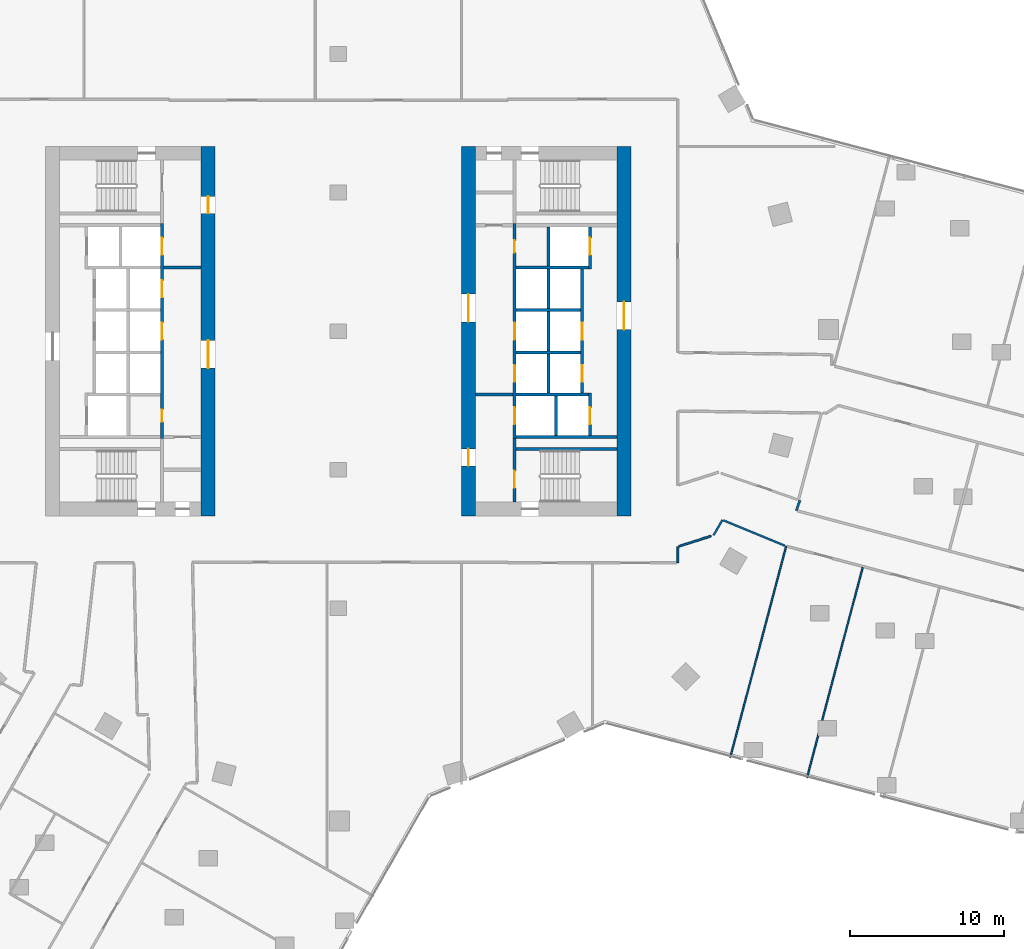
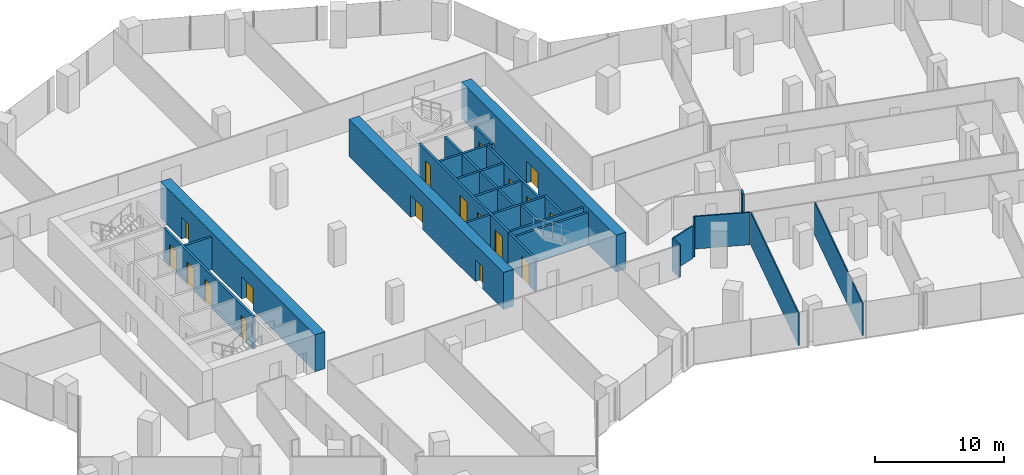
# One storey, part 28 of 34: 29 walls, 18 doors, 18 openings.
"""IFC4 building model written with IfcOpenShell, lengths in metres."""

import ifcopenshell
import ifcopenshell.guid

model = None  # the IFC model being written
_history = None  # IfcOwnerHistory: only IFC2X3 demands one
_inside = {}  # id of a spatial element -> (the spatial element, [elements in it])
_under = {}  # id of a project, library or spatial element -> (it, [spatial elements below it])
_declared = {}  # id of a project -> (the project, [libraries it declares])
_typed = {}  # id of a type object -> (the type object, [elements of that type])
_made_of = {}  # id of a material, layer set ... -> (it, [elements and type objects made of it])


def new_model(schema):
    """Start an empty IFC model of exactly this schema.

    Asked for "IFC4X3", IfcOpenShell would pick the latest addendum, in which some entities
    have other attributes; the version numbers below select the first issue.
    IFC2X3 requires an IfcOwnerHistory on every rooted entity: one is made here for all.
    """
    global model, _history
    if schema == "IFC4X3":
        model = ifcopenshell.file(schema_version=(4, 3, 0, 0))
    else:
        model = ifcopenshell.file(schema=schema)
    _inside.clear()
    _under.clear()
    _declared.clear()
    _typed.clear()
    _made_of.clear()
    _history = None
    if model.schema == "IFC2X3":
        org = make("IfcOrganization", Name="unknown")
        user = make(
            "IfcPersonAndOrganization",
            ThePerson=make("IfcPerson", FamilyName="unknown"),
            TheOrganization=org,
        )
        app = make(
            "IfcApplication",
            ApplicationDeveloper=org,
            Version="unknown",
            ApplicationFullName="unknown",
            ApplicationIdentifier="unknown",
        )
        _history = make(
            "IfcOwnerHistory",
            OwningUser=user,
            OwningApplication=app,
            ChangeAction="ADDED",
            CreationDate=0,
        )
    return model


def make(cls, **values):
    """One entity of the class cls with the attributes given. An attribute that is None is left unset."""
    return model.create_entity(
        cls, **{name: value for name, value in values.items() if value is not None}
    )


def rooted(cls, **values):
    """An entity with a GlobalId (a new one), such as an element, a storey or a relation."""
    return make(cls, GlobalId=ifcopenshell.guid.new(), OwnerHistory=_history, **values)


def si_unit(unit_type, name, prefix=None):
    """IfcSIUnit, for example si_unit("LENGTHUNIT", "METRE", prefix="MILLI")."""
    return make("IfcSIUnit", UnitType=unit_type, Prefix=prefix, Name=name)


def assignment(units):
    """IfcUnitAssignment: the units of a project."""
    return None if units is None else make("IfcUnitAssignment", Units=units)


def point(xyz):
    """IfcCartesianPoint."""
    return None if xyz is None else make("IfcCartesianPoint", Coordinates=xyz)


def direction(xyz):
    """IfcDirection."""
    return None if xyz is None else make("IfcDirection", DirectionRatios=xyz)


def frame(location, z_axis=None, x_axis=None):
    """IfcAxis2Placement3D, a coordinate frame: its origin and axes. An axis left out is left unset."""
    return make(
        "IfcAxis2Placement3D",
        Location=point(location),
        Axis=direction(z_axis),
        RefDirection=direction(x_axis),
    )


def frame_2d(location, x_axis=None):
    """IfcAxis2Placement2D, a coordinate frame in the plane: its origin and x axis."""
    return make(
        "IfcAxis2Placement2D", Location=point(location), RefDirection=direction(x_axis)
    )


def origin():
    """The frame at (0, 0, 0) with its axes left unset."""
    return frame((0.0, 0.0, 0.0))


def place(relative_to, where):
    """IfcLocalPlacement: puts the frame where relative to a parent placement (None: the world)."""
    return make(
        "IfcLocalPlacement", PlacementRelTo=relative_to, RelativePlacement=where
    )


def context(
    kind, dimensions, precision=None, world=None, true_north=None, identifier=None
):
    """IfcGeometricRepresentationContext, for example the 3D "Model" context."""
    return make(
        "IfcGeometricRepresentationContext",
        ContextIdentifier=identifier,
        ContextType=kind,
        CoordinateSpaceDimension=dimensions,
        Precision=precision,
        WorldCoordinateSystem=world,
        TrueNorth=true_north,
    )


def subcontext(parent, identifier, kind, view, scale=None):
    """IfcGeometricRepresentationSubContext, for example "Body" below "Model"."""
    return make(
        "IfcGeometricRepresentationSubContext",
        ContextIdentifier=identifier,
        ContextType=kind,
        ParentContext=parent,
        TargetScale=scale,
        TargetView=view,
    )


def project(units=None, contexts=None):
    """IfcProject with its units and contexts."""
    return rooted(
        "IfcProject",
        Name="project",
        RepresentationContexts=contexts,
        UnitsInContext=assignment(units),
    )


def spatial(cls, under=None, at=None, **own):
    """A site, building, storey or space (cls), placed at a placement, below another one or the project."""
    s = rooted(cls, ObjectPlacement=at, **own)
    if under is not None:
        _under.setdefault(under.id(), (under, []))[1].append(s)
    return s


def profile(cls, at=None, kind="AREA", **sizes):
    """A parametric profile (cls). Its sizes go by their IFC names, for example OverallWidth=200.0."""
    return make(cls, ProfileType=kind, Position=at, **sizes)


def rectangle(**sizes):
    """IfcRectangleProfileDef."""
    return profile("IfcRectangleProfileDef", **sizes)


def extrude(swept, where, along, depth):
    """IfcExtrudedAreaSolid: the profile swept, set in the frame where, extruded along a direction by depth."""
    return make(
        "IfcExtrudedAreaSolid",
        SweptArea=swept,
        Position=where,
        ExtrudedDirection=direction(along),
        Depth=depth,
    )


def shape(context_of_items, identifier, shape_type, items):
    """IfcShapeRepresentation: the items that make up one representation, for example the "Body"."""
    return make(
        "IfcShapeRepresentation",
        ContextOfItems=context_of_items,
        RepresentationIdentifier=identifier,
        RepresentationType=shape_type,
        Items=items,
    )


def material(Name=None, Category=None):
    """IfcMaterial."""
    return make("IfcMaterial", Name=Name, Category=Category)


def layer(
    of_material, thickness, ventilated=None, Name=None, Category=None, Priority=None
):
    """IfcMaterialLayer: one layer of a wall or slab, of a material (None: an air gap)."""
    return make(
        "IfcMaterialLayer",
        Material=of_material,
        LayerThickness=thickness,
        IsVentilated=ventilated,
        Name=Name,
        Category=Category,
        Priority=Priority,
    )


def layer_set(layers, Name=None):
    """IfcMaterialLayerSet."""
    return make("IfcMaterialLayerSet", MaterialLayers=layers, LayerSetName=Name)


def made_of(thing, what):
    """Note that an element or type object is made of a material, layer set ...; save() writes the relation."""
    if what is not None:
        _made_of.setdefault(what.id(), (what, []))[1].append(thing)
    return thing


def type_object(cls, material=None, **own):
    """A type object (cls), such as IfcWallType, which elements share."""
    return made_of(rooted(cls, **own), material)


def element(
    cls,
    number,
    at=None,
    inside=None,
    cuts=None,
    type_object=None,
    material=None,
    context=None,
    identifier="Body",
    shape_type=None,
    held_by="IfcProductDefinitionShape",
    body=None,
    shapes=None,
    **own,
):
    """One element of the class cls, such as IfcWall. Its Tag is "e" and its number.

    at: its placement. inside: the storey or other place that contains it. cuts: it is an
    opening in that element (IfcRelVoidsElement). A single representation is given by context,
    identifier, shape_type and body (its items); several are given by shapes. held_by: the class
    of the entity that holds the representations. save() writes the other relations.
    """
    e = rooted(cls, Tag="e%d" % number, ObjectPlacement=at, **own)
    if body is not None:
        shapes = [shape(context, identifier, shape_type, body)]
    if shapes is not None:
        e.Representation = make(held_by, Representations=shapes)
    if inside is not None:
        _inside.setdefault(inside.id(), (inside, []))[1].append(e)
    if cuts is not None:
        rooted(
            "IfcRelVoidsElement", RelatingBuildingElement=cuts, RelatedOpeningElement=e
        )
    if type_object is not None:
        _typed.setdefault(type_object.id(), (type_object, []))[1].append(e)
    return made_of(e, material)


def fill(opening, filler):
    """IfcRelFillsElement: the door or window that sits in an opening."""
    return rooted(
        "IfcRelFillsElement",
        RelatingOpeningElement=opening,
        RelatedBuildingElement=filler,
    )


def aggregate(whole, parts):
    """IfcRelAggregates: a whole, such as a stair, and the parts it consists of."""
    return rooted("IfcRelAggregates", RelatingObject=whole, RelatedObjects=parts)


def save(model, path):
    """Write the relations noted so far, then the file.

    IfcRelAggregates (storeys below a building ...), IfcRelContainedInSpatialStructure (elements
    in a storey), IfcRelDefinesByType, IfcRelAssociatesMaterial and IfcRelDeclares: one each for
    every whole, place, type object, material and project.
    """
    for whole, parts in _under.values():
        aggregate(whole, parts)
    for where, things in _inside.values():
        rooted(
            "IfcRelContainedInSpatialStructure",
            RelatedElements=things,
            RelatingStructure=where,
        )
    for kind, things in _typed.values():
        rooted("IfcRelDefinesByType", RelatedObjects=things, RelatingType=kind)
    for what, things in _made_of.values():
        rooted("IfcRelAssociatesMaterial", RelatedObjects=things, RelatingMaterial=what)
    for by, libraries in _declared.values():
        rooted("IfcRelDeclares", RelatingContext=by, RelatedDefinitions=libraries)
    model.write(path)


model = new_model("IFC4")

# Units and contexts
model_context = context("Model", 3, precision=1e-05, world=origin(), true_north=direction((0.0, 1.0)))
body_context = subcontext(model_context, "Body", "Model", "MODEL_VIEW")
ifc_project = project(units=[si_unit("LENGTHUNIT", "METRE"), si_unit("AREAUNIT", "SQUARE_METRE"), si_unit("VOLUMEUNIT", "CUBIC_METRE"), si_unit("PLANEANGLEUNIT", "RADIAN"), si_unit("MASSUNIT", "GRAM", prefix="KILO")], contexts=[model_context])

# Site, building, storey
site_placement = place(None, origin())
site = spatial("IfcSite", under=ifc_project, at=site_placement, CompositionType="ELEMENT")
building_placement = place(site_placement, origin())
building = spatial("IfcBuilding", under=site, at=building_placement, Name="Orlundy Tower", CompositionType="ELEMENT")
storey_placement = place(building_placement, frame((0.0, 0.0, 109.199951171875)))
storey = spatial("IfcBuildingStorey", under=building, at=storey_placement, Name="L27", CompositionType="ELEMENT", Elevation=109.199951171875)

# Wall, openings, doors
ifc_material_1 = material(Name="Concrete C80/95", Category="concrete")
ifc_layer_1 = layer(ifc_material_1, 0.89990234375)
ifc_layer_set_1 = layer_set([ifc_layer_1], Name="CORE WALL 900 C80/95")
wall_type_1 = type_object("IfcWallType", Name="CORE WALL 900 C80/95", PredefinedType="SHEAR", material=ifc_layer_set_1)
wall_1_placement = place(storey_placement, frame((-8.449951171875, -12.0, 0.0), z_axis=(0.0, 0.0, 1.0), x_axis=(0.0, 1.0, 0.0)))
wall_1 = element("IfcWall", 1, at=wall_1_placement, inside=storey, type_object=wall_type_1, Name="Core wall W-E L27", PredefinedType="SHEAR", context=body_context, shape_type="SweptSolid", body=[
    extrude(rectangle(XDim=24.0, YDim=0.89990234375, at=frame_2d((12.0, 0.0))), origin(), (0.0, 0.0, 1.0), 3.5),
])
opening_1_placement = place(wall_1_placement, frame((9.60009765625, 0.0, 0.0)))
opening_1 = element("IfcOpeningElement", 2, at=opening_1_placement, cuts=wall_1, Name="Opening 21009", PredefinedType="OPENING", context=body_context, shape_type="SweptSolid", body=[
    extrude(rectangle(XDim=1.800048828125, YDim=2.10009765625, at=frame_2d((0.89990234375, 1.050048828125))), frame((0.0, 0.4599609375, 0.0), z_axis=(0.0, -1.0, 0.0), x_axis=(1.0, 0.0, 0.0)), (0.0, 0.0, 1.0), 0.919921875),
])
opening_2_placement = place(wall_1_placement, frame((19.64990234375, 0.0, 0.0)))
opening_2 = element("IfcOpeningElement", 3, at=opening_2_placement, cuts=wall_1, Name="Opening 21011", PredefinedType="OPENING", context=body_context, shape_type="SweptSolid", body=[
    extrude(rectangle(XDim=1.10009765625, YDim=2.10009765625, at=frame_2d((0.550048828125, 1.050048828125))), frame((0.0, 0.4599609375, 0.0), z_axis=(0.0, -1.0, 0.0), x_axis=(1.0, 0.0, 0.0)), (0.0, 0.0, 1.0), 0.919921875),
])
ifc_material_2 = material(Name="Steel door set", Category="steel")
door_type_1 = type_object("IfcDoorType", Name="Fire-fighting Lobby Door 1100x2100", OperationType="SINGLE_SWING_LEFT", PredefinedType="DOOR", material=ifc_material_2)
door_1_placement = place(opening_2_placement, origin())
door_1 = element("IfcDoor", 4, at=door_1_placement, inside=storey, type_object=door_type_1, Name="Fire-fighting lobby door 21011", OperationType="SINGLE_SWING_RIGHT", OverallHeight=2.10009765625, OverallWidth=1.10009765625, PredefinedType="DOOR", context=body_context, shape_type="SweptSolid", body=[
    extrude(rectangle(XDim=1.10009765625, YDim=2.10009765625, at=frame_2d((0.550048828125, 1.050048828125))), frame((0.0, 0.02490234375, 0.0), z_axis=(0.0, -1.0, 0.0), x_axis=(1.0, 0.0, 0.0)), (0.0, 0.0, 1.0), 0.050048828125),
])
fill(opening_2, door_1)
ifc_material_3 = material(Name="Timber door set", Category="wood")
door_type_2 = type_object("IfcDoorType", Name="Lobby Door 1800x2100", OperationType="DOUBLE_DOOR_DOUBLE_SWING", PredefinedType="DOOR", material=ifc_material_3)
door_2_placement = place(opening_1_placement, origin())
door_2 = element("IfcDoor", 5, at=door_2_placement, inside=storey, type_object=door_type_2, Name="Lift lobby door 21009", OperationType="SINGLE_SWING_LEFT", OverallHeight=2.10009765625, OverallWidth=1.800048828125, PredefinedType="DOOR", context=body_context, shape_type="SweptSolid", body=[
    extrude(rectangle(XDim=1.800048828125, YDim=2.10009765625, at=frame_2d((0.89990234375, 1.050048828125))), frame((0.0, 0.02490234375, 0.0), z_axis=(0.0, -1.0, 0.0), x_axis=(1.0, 0.0, 0.0)), (0.0, 0.0, 1.0), 0.050048828125),
])
fill(opening_1, door_2)

wall_2_placement = place(storey_placement, frame((8.449951171875, -12.0, 0.0), z_axis=(0.0, 0.0, 1.0), x_axis=(0.0, 1.0, 0.0)))
wall_2 = element("IfcWall", 6, at=wall_2_placement, inside=storey, type_object=wall_type_1, Name="Core wall E-W L27", PredefinedType="SHEAR", context=body_context, shape_type="SweptSolid", body=[
    extrude(rectangle(XDim=24.0, YDim=0.89990234375, at=frame_2d((12.0, 0.0))), origin(), (0.0, 0.0, 1.0), 3.5),
])
opening_3_placement = place(wall_2_placement, frame((12.60009765625, 0.0, 0.0)))
opening_3 = element("IfcOpeningElement", 7, at=opening_3_placement, cuts=wall_2, Name="Opening 21058", PredefinedType="OPENING", context=body_context, shape_type="SweptSolid", body=[
    extrude(rectangle(XDim=1.800048828125, YDim=2.10009765625, at=frame_2d((0.89990234375, 1.050048828125))), frame((0.0, 0.4599609375, 0.0), z_axis=(0.0, -1.0, 0.0), x_axis=(1.0, 0.0, 0.0)), (0.0, 0.0, 1.0), 0.919921875),
])
opening_4_placement = place(wall_2_placement, frame((3.25, 0.0, 0.0)))
opening_4 = element("IfcOpeningElement", 8, at=opening_4_placement, cuts=wall_2, Name="Opening 21060", PredefinedType="OPENING", context=body_context, shape_type="SweptSolid", body=[
    extrude(rectangle(XDim=1.10009765625, YDim=2.10009765625, at=frame_2d((0.550048828125, 1.050048828125))), frame((0.0, 0.4599609375, 0.0), z_axis=(0.0, -1.0, 0.0), x_axis=(1.0, 0.0, 0.0)), (0.0, 0.0, 1.0), 0.919921875),
])
door_3_placement = place(opening_4_placement, origin())
door_3 = element("IfcDoor", 9, at=door_3_placement, inside=storey, type_object=door_type_1, Name="Fire-fighting lobby door 21060", OperationType="SINGLE_SWING_LEFT", OverallHeight=2.10009765625, OverallWidth=1.10009765625, PredefinedType="DOOR", context=body_context, shape_type="SweptSolid", body=[
    extrude(rectangle(XDim=1.10009765625, YDim=2.10009765625, at=frame_2d((0.550048828125, 1.050048828125))), frame((0.0, 0.02490234375, 0.0), z_axis=(0.0, -1.0, 0.0), x_axis=(1.0, 0.0, 0.0)), (0.0, 0.0, 1.0), 0.050048828125),
])
fill(opening_4, door_3)
door_4_placement = place(opening_3_placement, origin())
door_4 = element("IfcDoor", 10, at=door_4_placement, inside=storey, type_object=door_type_2, Name="Lift lobby door 21058", OperationType="SINGLE_SWING_RIGHT", OverallHeight=2.10009765625, OverallWidth=1.800048828125, PredefinedType="DOOR", context=body_context, shape_type="SweptSolid", body=[
    extrude(rectangle(XDim=1.800048828125, YDim=2.10009765625, at=frame_2d((0.89990234375, 1.050048828125))), frame((0.0, 0.02490234375, 0.0), z_axis=(0.0, -1.0, 0.0), x_axis=(1.0, 0.0, 0.0)), (0.0, 0.0, 1.0), 0.050048828125),
])
fill(opening_3, door_4)

# Wall, opening, door
wall_3_placement = place(storey_placement, frame((18.550048828125, -12.0, 0.0), z_axis=(0.0, 0.0, 1.0), x_axis=(0.0, 1.0, 0.0)))
wall_3 = element("IfcWall", 11, at=wall_3_placement, inside=storey, type_object=wall_type_1, Name="Core wall E-E L27", PredefinedType="SHEAR", context=body_context, shape_type="SweptSolid", body=[
    extrude(rectangle(XDim=24.0, YDim=0.89990234375, at=frame_2d((12.0, 0.0))), origin(), (0.0, 0.0, 1.0), 3.5),
])
opening_5_placement = place(wall_3_placement, frame((12.10009765625, 0.0, 0.0)))
opening_5 = element("IfcOpeningElement", 12, at=opening_5_placement, cuts=wall_3, Name="Opening 21059", PredefinedType="OPENING", context=body_context, shape_type="SweptSolid", body=[
    extrude(rectangle(XDim=1.800048828125, YDim=2.10009765625, at=frame_2d((0.89990234375, 1.050048828125))), frame((0.0, 0.4599609375, 0.0), z_axis=(0.0, -1.0, 0.0), x_axis=(1.0, 0.0, 0.0)), (0.0, 0.0, 1.0), 0.919921875),
])
door_5_placement = place(opening_5_placement, origin())
door_5 = element("IfcDoor", 13, at=door_5_placement, inside=storey, type_object=door_type_2, Name="Lift lobby door 21059", OperationType="SINGLE_SWING_RIGHT", OverallHeight=2.10009765625, OverallWidth=1.800048828125, PredefinedType="DOOR", context=body_context, shape_type="SweptSolid", body=[
    extrude(rectangle(XDim=1.800048828125, YDim=2.10009765625, at=frame_2d((0.89990234375, 1.050048828125))), frame((0.0, 0.02490234375, 0.0), z_axis=(0.0, -1.0, 0.0), x_axis=(1.0, 0.0, 0.0)), (0.0, 0.0, 1.0), 0.050048828125),
])
fill(opening_5, door_5)

# Walls
ifc_material_4 = material(Name="Gypsum board partition")
ifc_layer_2 = layer(ifc_material_4, 0.10009765625)
ifc_layer_set_2 = layer_set([ifc_layer_2], Name="Floor partition 100")
wall_type_2 = type_object("IfcWallType", Name="Floor partition 100", PredefinedType="PARTITIONING", material=ifc_layer_set_2)
wall_4_placement = place(storey_placement, frame((30.43408203125, -29.008056640625, 0.0), z_axis=(0.0, 0.0, 1.0), x_axis=(0.256051093289, 0.96666324934, 0.0)))
element("IfcWall", 14, at=wall_4_placement, inside=storey, type_object=wall_type_2, Name="wall-int-L27-065", PredefinedType="PARTITIONING", context=body_context, shape_type="SweptSolid", body=[
    extrude(rectangle(XDim=14.13720703125, YDim=0.10009765625, at=frame_2d((7.068603515625, 0.0))), origin(), (0.0, 0.0, 1.0), 3.080078125),
])
wall_5_placement = place(storey_placement, frame((25.452880859375, -27.68896484375, 0.0), z_axis=(0.0, 0.0, 1.0), x_axis=(0.255983290364, 0.966681206528, 0.0)))
element("IfcWall", 15, at=wall_5_placement, inside=storey, type_object=wall_type_2, Name="wall-int-L27-066", PredefinedType="PARTITIONING", context=body_context, shape_type="SweptSolid", body=[
    extrude(rectangle(XDim=14.2001953125, YDim=0.10009765625, at=frame_2d((7.10009765625, 0.0))), origin(), (0.0, 0.0, 1.0), 3.080078125),
])
ifc_material_5 = material(Name="Gypsum board partition, double layer")
ifc_layer_3 = layer(ifc_material_5, 0.125)
ifc_layer_set_3 = layer_set([ifc_layer_3], Name="Floor partition 125")
wall_type_3 = type_object("IfcWallType", Name="Floor partition 125", PredefinedType="PARTITIONING", material=ifc_layer_set_3)
wall_6_placement = place(storey_placement, frame((25.006103515625, -12.285888671875, 0.0), z_axis=(0.0, 0.0, 1.0), x_axis=(0.924527003777, -0.38111654292, 0.0)))
element("IfcWall", 16, at=wall_6_placement, inside=storey, type_object=wall_type_3, Name="wall-int-L27-005", PredefinedType="PARTITIONING", context=body_context, shape_type="SweptSolid", body=[
    extrude(rectangle(XDim=4.31884765625, YDim=0.125, at=frame_2d((2.159423828125, 0.0))), origin(), (0.0, 0.0, 1.0), 3.080078125),
])
wall_7_placement = place(storey_placement, frame((22.133056640625, -13.971923828125, 0.0), z_axis=(0.0, 0.0, 1.0), x_axis=(0.952283953223, 0.30521348665, 0.0)))
element("IfcWall", 17, at=wall_7_placement, inside=storey, type_object=wall_type_3, Name="wall-int-L27-043", PredefinedType="PARTITIONING", context=body_context, shape_type="SweptSolid", body=[
    extrude(rectangle(XDim=2.185302734375, YDim=0.125, at=frame_2d((1.0927734375, 0.0))), origin(), (0.0, 0.0, 1.0), 3.080078125),
])
wall_8_placement = place(storey_placement, frame((24.368896484375, -13.2548828125, 0.0), z_axis=(0.0, 0.0, 1.0), x_axis=(0.503804993987, 0.863817415913, 0.0)))
element("IfcWall", 18, at=wall_8_placement, inside=storey, type_object=wall_type_3, Name="wall-int-L27-046", PredefinedType="PARTITIONING", context=body_context, shape_type="SweptSolid", body=[
    extrude(rectangle(XDim=1.1494140625, YDim=0.125, at=frame_2d((0.57470703125, 0.0))), origin(), (0.0, 0.0, 1.0), 3.080078125),
])
wall_9_placement = place(storey_placement, frame((22.051025390625, -15.050048828125, 0.0), z_axis=(0.0, 0.0, 1.0), x_axis=(0.0, 1.0, 0.0)))
element("IfcWall", 19, at=wall_9_placement, inside=storey, type_object=wall_type_3, Name="wall-int-L27-073", PredefinedType="PARTITIONING", context=body_context, shape_type="SweptSolid", body=[
    extrude(rectangle(XDim=1.052001953125, YDim=0.125, at=frame_2d((0.52587890625, 0.0))), origin(), (0.0, 0.0, 1.0), 3.080078125),
])
ifc_material_6 = material(Name="Blockwork shaft wall", Category="masonry")
ifc_layer_4 = layer(ifc_material_6, 0.14990234375)
ifc_layer_set_4 = layer_set([ifc_layer_4], Name="Floor shaft wall 150")
wall_type_4 = type_object("IfcWallType", Name="Floor shaft wall 150", PredefinedType="PARTITIONING", material=ifc_layer_set_4)
wall_10_placement = place(storey_placement, frame((29.74609375, -11.653076171875, 0.0), z_axis=(0.0, 0.0, 1.0), x_axis=(0.326055233701, 0.945350720408, 0.0)))
element("IfcWall", 20, at=wall_10_placement, inside=storey, type_object=wall_type_4, Name="wall-int-L27-056", PredefinedType="PARTITIONING", context=body_context, shape_type="SweptSolid", body=[
    extrude(rectangle(XDim=0.699462890625, YDim=0.14990234375, at=frame_2d((0.349609375, 0.0))), origin(), (0.0, 0.0, 1.0), 3.080078125),
])

# Wall, opening, door
ifc_material_7 = material(Name="Concrete C40/50", Category="concrete")
ifc_layer_5 = layer(ifc_material_7, 0.199951171875)
ifc_layer_set_5 = layer_set([ifc_layer_5], Name="Load-bearing Shaft Wall 200")
wall_type_5 = type_object("IfcWallType", Name="Load-bearing Shaft Wall 200", PredefinedType="SOLIDWALL", material=ifc_layer_set_5)
wall_11_placement = place(storey_placement, frame((11.43994140625, -6.97509765625, 0.0), z_axis=(0.0, 0.0, 1.0), x_axis=(0.0, -1.0, 0.0)))
wall_11 = element("IfcWall", 21, at=wall_11_placement, inside=storey, type_object=wall_type_5, Name="Shaft wall E21-stair-end-n", PredefinedType="SOLIDWALL", context=body_context, shape_type="SweptSolid", body=[
    extrude(rectangle(XDim=4.125, YDim=0.199951171875, at=frame_2d((2.0625, 0.0))), origin(), (0.0, 0.0, 1.0), 3.090087890625),
])
opening_6_placement = place(wall_11_placement, frame((2.10009765625, 0.0, 0.0)))
opening_6 = element("IfcOpeningElement", 22, at=opening_6_placement, cuts=wall_11, Name="Opening 21063", PredefinedType="OPENING", context=body_context, shape_type="SweptSolid", body=[
    extrude(rectangle(XDim=1.10009765625, YDim=2.10009765625, at=frame_2d((0.550048828125, 1.050048828125))), frame((0.0, 0.110107421875, 0.0), z_axis=(0.0, -1.0, 0.0), x_axis=(1.0, 0.0, 0.0)), (0.0, 0.0, 1.0), 0.22021484375),
])
door_6_placement = place(opening_6_placement, origin())
door_6 = element("IfcDoor", 23, at=door_6_placement, inside=storey, type_object=door_type_1, Name="Fire-fighting lobby to stair door 21063", OperationType="SINGLE_SWING_RIGHT", OverallHeight=2.10009765625, OverallWidth=1.10009765625, PredefinedType="DOOR", context=body_context, shape_type="SweptSolid", body=[
    extrude(rectangle(XDim=1.10009765625, YDim=2.10009765625, at=frame_2d((0.550048828125, 1.050048828125))), frame((0.0, 0.02490234375, 0.0), z_axis=(0.0, -1.0, 0.0), x_axis=(1.0, 0.0, 0.0)), (0.0, 0.0, 1.0), 0.050048828125),
])
fill(opening_6, door_6)

# Walls
wall_12_placement = place(storey_placement, frame((11.5400390625, -7.64990234375, 0.0), z_axis=(0.0, 0.0, 1.0), x_axis=(1.0, 0.0, 0.0)))
element("IfcWall", 24, at=wall_12_placement, inside=storey, type_object=wall_type_5, Name="Shaft wall E21-stair-side-n", PredefinedType="SOLIDWALL", context=body_context, shape_type="SweptSolid", body=[
    extrude(rectangle(XDim=6.56005859375, YDim=0.199951171875, at=frame_2d((3.280029296875, 0.0))), origin(), (0.0, 0.0, 1.0), 3.090087890625),
])
ifc_material_8 = material(Name="Gypsum board partition on steel studs", Category="steel")
ifc_layer_6 = layer(ifc_material_8, 0.199951171875)
ifc_layer_set_6 = layer_set([ifc_layer_6], Name="Partition 200")
wall_type_6 = type_object("IfcWallType", Name="Partition 200", PredefinedType="PARTITIONING", material=ifc_layer_set_6)
for number, where, z_axis, x_axis, name in (
    (25, (-8.89990234375, 4.125, 0.0), (0.0, 0.0, 1.0), (-1.0, 0.0, 0.0), "Partition wall W21-lobby-n"),
    (26, (8.89990234375, -4.125, 0.0), (0.0, 0.0, 1.0), (1.0, 0.0, 0.0), "Partition wall E21-lobby-n"),
):
    element("IfcWall", number, at=place(storey_placement, frame(where, z_axis=z_axis, x_axis=x_axis)), inside=storey, type_object=wall_type_6, Name=name, PredefinedType="PARTITIONING", context=body_context, shape_type="SweptSolid", body=[
        extrude(rectangle(XDim=2.440185546875, YDim=0.199951171875, at=frame_2d((1.22021484375, 0.0))), origin(), (0.0, 0.0, 1.0), 3.090087890625),
    ])

# Wall, openings, doors
ifc_material_9 = material(Name="Fire-rated blockwork shaft wall", Category="masonry")
ifc_layer_7 = layer(ifc_material_9, 0.199951171875)
ifc_layer_set_7 = layer_set([ifc_layer_7], Name="Shaft Wall 200")
wall_type_7 = type_object("IfcWallType", Name="Shaft Wall 200", PredefinedType="SOLIDWALL", material=ifc_layer_set_7)
wall_13_placement = place(storey_placement, frame((-11.43994140625, -6.97509765625, 0.0), z_axis=(0.0, 0.0, 1.0), x_axis=(0.0, 1.0, 0.0)))
wall_13 = element("IfcWall", 27, at=wall_13_placement, inside=storey, type_object=wall_type_7, Name="Shaft wall W21-front-h", PredefinedType="SOLIDWALL", context=body_context, shape_type="SweptSolid", body=[
    extrude(rectangle(XDim=13.9501953125, YDim=0.199951171875, at=frame_2d((6.97509765625, 0.0))), origin(), (0.0, 0.0, 1.0), 3.090087890625),
])
opening_7_placement = place(wall_13_placement, frame((6.425048828125, 0.0, 0.0)))
opening_7 = element("IfcOpeningElement", 28, at=opening_7_placement, cuts=wall_13, Name="Opening 21002", PredefinedType="OPENING", context=body_context, shape_type="SweptSolid", body=[
    extrude(rectangle(XDim=1.10009765625, YDim=2.10009765625, at=frame_2d((0.550048828125, 1.050048828125))), frame((0.0, 0.110107421875, 0.0), z_axis=(0.0, -1.0, 0.0), x_axis=(1.0, 0.0, 0.0)), (0.0, 0.0, 1.0), 0.22021484375),
])
opening_8_placement = place(wall_13_placement, frame((9.175048828125, 0.0, 0.0)))
opening_8 = element("IfcOpeningElement", 29, at=opening_8_placement, cuts=wall_13, Name="Opening 21004", PredefinedType="OPENING", context=body_context, shape_type="SweptSolid", body=[
    extrude(rectangle(XDim=1.10009765625, YDim=2.10009765625, at=frame_2d((0.550048828125, 1.050048828125))), frame((0.0, 0.110107421875, 0.0), z_axis=(0.0, -1.0, 0.0), x_axis=(1.0, 0.0, 0.0)), (0.0, 0.0, 1.0), 0.22021484375),
])
opening_9_placement = place(wall_13_placement, frame((11.925048828125, 0.0, 0.0)))
opening_9 = element("IfcOpeningElement", 30, at=opening_9_placement, cuts=wall_13, Name="Opening 21006", PredefinedType="OPENING", context=body_context, shape_type="SweptSolid", body=[
    extrude(rectangle(XDim=1.10009765625, YDim=2.10009765625, at=frame_2d((0.550048828125, 1.050048828125))), frame((0.0, 0.110107421875, 0.0), z_axis=(0.0, -1.0, 0.0), x_axis=(1.0, 0.0, 0.0)), (0.0, 0.0, 1.0), 0.22021484375),
])
opening_10_placement = place(wall_13_placement, frame((1.074951171875, 0.0, 0.0)))
opening_10 = element("IfcOpeningElement", 31, at=opening_10_placement, cuts=wall_13, Name="Opening 21008", PredefinedType="OPENING", context=body_context, shape_type="SweptSolid", body=[
    extrude(rectangle(XDim=0.800048828125, YDim=2.10009765625, at=frame_2d((0.39990234375, 1.050048828125))), frame((0.0, 0.110107421875, 0.0), z_axis=(0.0, -1.0, 0.0), x_axis=(1.0, 0.0, 0.0)), (0.0, 0.0, 1.0), 0.22021484375),
])
ifc_material_10 = material(Name="Steel door set", Category="steel")
door_type_3 = type_object("IfcDoorType", Name="Landing Door 1100x2100", OperationType="DOUBLE_DOOR_SLIDING", PredefinedType="DOOR", material=ifc_material_10)
door_7_placement = place(opening_7_placement, origin())
door_7 = element("IfcDoor", 32, at=door_7_placement, inside=storey, type_object=door_type_3, Name="Lift landing door LP-05 21002", OperationType="DOUBLE_DOOR_SLIDING", OverallHeight=2.10009765625, OverallWidth=1.10009765625, PredefinedType="DOOR", context=body_context, shape_type="SweptSolid", body=[
    extrude(rectangle(XDim=1.10009765625, YDim=2.10009765625, at=frame_2d((0.550048828125, 1.050048828125))), frame((0.0, 0.02490234375, 0.0), z_axis=(0.0, -1.0, 0.0), x_axis=(1.0, 0.0, 0.0)), (0.0, 0.0, 1.0), 0.050048828125),
])
fill(opening_7, door_7)
door_8_placement = place(opening_8_placement, origin())
door_8 = element("IfcDoor", 33, at=door_8_placement, inside=storey, type_object=door_type_3, Name="Lift landing door LP-02 21004", OperationType="DOUBLE_DOOR_SLIDING", OverallHeight=2.10009765625, OverallWidth=1.10009765625, PredefinedType="DOOR", context=body_context, shape_type="SweptSolid", body=[
    extrude(rectangle(XDim=1.10009765625, YDim=2.10009765625, at=frame_2d((0.550048828125, 1.050048828125))), frame((0.0, 0.02490234375, 0.0), z_axis=(0.0, -1.0, 0.0), x_axis=(1.0, 0.0, 0.0)), (0.0, 0.0, 1.0), 0.050048828125),
])
fill(opening_8, door_8)
door_9_placement = place(opening_9_placement, origin())
door_9 = element("IfcDoor", 34, at=door_9_placement, inside=storey, type_object=door_type_3, Name="Lift landing door FL1 21006", OperationType="DOUBLE_DOOR_SLIDING", OverallHeight=2.10009765625, OverallWidth=1.10009765625, PredefinedType="DOOR", context=body_context, shape_type="SweptSolid", body=[
    extrude(rectangle(XDim=1.10009765625, YDim=2.10009765625, at=frame_2d((0.550048828125, 1.050048828125))), frame((0.0, 0.02490234375, 0.0), z_axis=(0.0, -1.0, 0.0), x_axis=(1.0, 0.0, 0.0)), (0.0, 0.0, 1.0), 0.050048828125),
])
fill(opening_9, door_9)
ifc_material_11 = material(Name="Timber door set", Category="wood")
door_type_4 = type_object("IfcDoorType", Name="Riser Door 800x2100", OperationType="SINGLE_SWING_LEFT", PredefinedType="DOOR", material=ifc_material_11)
door_10_placement = place(opening_10_placement, origin())
door_10 = element("IfcDoor", 35, at=door_10_placement, inside=storey, type_object=door_type_4, Name="Electrical Riser Room door 21008", OperationType="SINGLE_SWING_LEFT", OverallHeight=2.10009765625, OverallWidth=0.800048828125, PredefinedType="DOOR", context=body_context, shape_type="SweptSolid", body=[
    extrude(rectangle(XDim=0.800048828125, YDim=2.10009765625, at=frame_2d((0.39990234375, 1.050048828125))), frame((0.0, 0.02490234375, 0.0), z_axis=(0.0, -1.0, 0.0), x_axis=(1.0, 0.0, 0.0)), (0.0, 0.0, 1.0), 0.050048828125),
])
fill(opening_10, door_10)

# Walls
wall_14_placement = place(storey_placement, frame((11.5400390625, -6.875, 0.0), z_axis=(0.0, 0.0, 1.0), x_axis=(1.0, 0.0, 0.0)))
element("IfcWall", 36, at=wall_14_placement, inside=storey, type_object=wall_type_7, Name="Shaft wall E21-zone-n", PredefinedType="SOLIDWALL", context=body_context, shape_type="SweptSolid", body=[
    extrude(rectangle(XDim=6.56005859375, YDim=0.199951171875, at=frame_2d((3.280029296875, 0.0))), origin(), (0.0, 0.0, 1.0), 3.090087890625),
])
wall_15_placement = place(storey_placement, frame((11.5400390625, 4.125, 0.0), z_axis=(0.0, 0.0, 1.0), x_axis=(1.0, 0.0, 0.0)))
element("IfcWall", 37, at=wall_15_placement, inside=storey, type_object=wall_type_7, Name="Shaft wall E21-cross-4.125", PredefinedType="SOLIDWALL", context=body_context, shape_type="SweptSolid", body=[
    extrude(rectangle(XDim=4.699951171875, YDim=0.199951171875, at=frame_2d((2.35009765625, 0.0))), origin(), (0.0, 0.0, 1.0), 3.090087890625),
])
for number, where, z_axis, x_axis, name in (
    (38, (11.5400390625, 1.375, 0.0), (0.0, 0.0, 1.0), (1.0, 0.0, 0.0), "Shaft wall E21-cross-1.375"),
    (39, (11.5400390625, -1.375, 0.0), (0.0, 0.0, 1.0), (1.0, 0.0, 0.0), "Shaft wall E21-cross+1.375"),
):
    element("IfcWall", number, at=place(storey_placement, frame(where, z_axis=z_axis, x_axis=x_axis)), inside=storey, type_object=wall_type_7, Name=name, PredefinedType="SOLIDWALL", context=body_context, shape_type="SweptSolid", body=[
        extrude(rectangle(XDim=4.199951171875, YDim=0.199951171875, at=frame_2d((2.10009765625, 0.0))), origin(), (0.0, 0.0, 1.0), 3.090087890625),
    ])
wall_16_placement = place(storey_placement, frame((11.5400390625, -4.125, 0.0), z_axis=(0.0, 0.0, 1.0), x_axis=(1.0, 0.0, 0.0)))
element("IfcWall", 40, at=wall_16_placement, inside=storey, type_object=wall_type_7, Name="Shaft wall E21-cross+4.125", PredefinedType="SOLIDWALL", context=body_context, shape_type="SweptSolid", body=[
    extrude(rectangle(XDim=4.699951171875, YDim=0.199951171875, at=frame_2d((2.35009765625, 0.0))), origin(), (0.0, 0.0, 1.0), 3.090087890625),
])

# Wall, openings, doors
wall_17_placement = place(storey_placement, frame((11.43994140625, 6.97509765625, 0.0), z_axis=(0.0, 0.0, 1.0), x_axis=(0.0, -1.0, 0.0)))
wall_17 = element("IfcWall", 41, at=wall_17_placement, inside=storey, type_object=wall_type_7, Name="Shaft wall E21-front-h", PredefinedType="SOLIDWALL", context=body_context, shape_type="SweptSolid", body=[
    extrude(rectangle(XDim=13.9501953125, YDim=0.199951171875, at=frame_2d((6.97509765625, 0.0))), origin(), (0.0, 0.0, 1.0), 3.090087890625),
])
opening_11_placement = place(wall_17_placement, frame((6.425048828125, 0.0, 0.0)))
opening_11 = element("IfcOpeningElement", 42, at=opening_11_placement, cuts=wall_17, Name="Opening 21051", PredefinedType="OPENING", context=body_context, shape_type="SweptSolid", body=[
    extrude(rectangle(XDim=1.10009765625, YDim=2.10009765625, at=frame_2d((0.550048828125, 1.050048828125))), frame((0.0, 0.110107421875, 0.0), z_axis=(0.0, -1.0, 0.0), x_axis=(1.0, 0.0, 0.0)), (0.0, 0.0, 1.0), 0.22021484375),
])
opening_12_placement = place(wall_17_placement, frame((9.175048828125, 0.0, 0.0)))
opening_12 = element("IfcOpeningElement", 43, at=opening_12_placement, cuts=wall_17, Name="Opening 21053", PredefinedType="OPENING", context=body_context, shape_type="SweptSolid", body=[
    extrude(rectangle(XDim=1.10009765625, YDim=2.10009765625, at=frame_2d((0.550048828125, 1.050048828125))), frame((0.0, 0.110107421875, 0.0), z_axis=(0.0, -1.0, 0.0), x_axis=(1.0, 0.0, 0.0)), (0.0, 0.0, 1.0), 0.22021484375),
])
opening_13_placement = place(wall_17_placement, frame((11.925048828125, 0.0, 0.0)))
opening_13 = element("IfcOpeningElement", 44, at=opening_13_placement, cuts=wall_17, Name="Opening 21055", PredefinedType="OPENING", context=body_context, shape_type="SweptSolid", body=[
    extrude(rectangle(XDim=1.10009765625, YDim=2.10009765625, at=frame_2d((0.550048828125, 1.050048828125))), frame((0.0, 0.110107421875, 0.0), z_axis=(0.0, -1.0, 0.0), x_axis=(1.0, 0.0, 0.0)), (0.0, 0.0, 1.0), 0.22021484375),
])
opening_14_placement = place(wall_17_placement, frame((1.074951171875, 0.0, 0.0)))
opening_14 = element("IfcOpeningElement", 45, at=opening_14_placement, cuts=wall_17, Name="Opening 21057", PredefinedType="OPENING", context=body_context, shape_type="SweptSolid", body=[
    extrude(rectangle(XDim=0.800048828125, YDim=2.10009765625, at=frame_2d((0.39990234375, 1.050048828125))), frame((0.0, 0.110107421875, 0.0), z_axis=(0.0, -1.0, 0.0), x_axis=(1.0, 0.0, 0.0)), (0.0, 0.0, 1.0), 0.22021484375),
])
door_11_placement = place(opening_11_placement, origin())
door_11 = element("IfcDoor", 46, at=door_11_placement, inside=storey, type_object=door_type_3, Name="Lift landing door LP-10 21051", OperationType="DOUBLE_DOOR_SLIDING", OverallHeight=2.10009765625, OverallWidth=1.10009765625, PredefinedType="DOOR", context=body_context, shape_type="SweptSolid", body=[
    extrude(rectangle(XDim=1.10009765625, YDim=2.10009765625, at=frame_2d((0.550048828125, 1.050048828125))), frame((0.0, 0.02490234375, 0.0), z_axis=(0.0, -1.0, 0.0), x_axis=(1.0, 0.0, 0.0)), (0.0, 0.0, 1.0), 0.050048828125),
])
fill(opening_11, door_11)
door_12_placement = place(opening_12_placement, origin())
door_12 = element("IfcDoor", 47, at=door_12_placement, inside=storey, type_object=door_type_3, Name="Lift landing door LP-07 21053", OperationType="DOUBLE_DOOR_SLIDING", OverallHeight=2.10009765625, OverallWidth=1.10009765625, PredefinedType="DOOR", context=body_context, shape_type="SweptSolid", body=[
    extrude(rectangle(XDim=1.10009765625, YDim=2.10009765625, at=frame_2d((0.550048828125, 1.050048828125))), frame((0.0, 0.02490234375, 0.0), z_axis=(0.0, -1.0, 0.0), x_axis=(1.0, 0.0, 0.0)), (0.0, 0.0, 1.0), 0.050048828125),
])
fill(opening_12, door_12)
door_13_placement = place(opening_13_placement, origin())
door_13 = element("IfcDoor", 48, at=door_13_placement, inside=storey, type_object=door_type_3, Name="Lift landing door FL2 21055", OperationType="DOUBLE_DOOR_SLIDING", OverallHeight=2.10009765625, OverallWidth=1.10009765625, PredefinedType="DOOR", context=body_context, shape_type="SweptSolid", body=[
    extrude(rectangle(XDim=1.10009765625, YDim=2.10009765625, at=frame_2d((0.550048828125, 1.050048828125))), frame((0.0, 0.02490234375, 0.0), z_axis=(0.0, -1.0, 0.0), x_axis=(1.0, 0.0, 0.0)), (0.0, 0.0, 1.0), 0.050048828125),
])
fill(opening_13, door_13)
door_14_placement = place(opening_14_placement, origin())
door_14 = element("IfcDoor", 49, at=door_14_placement, inside=storey, type_object=door_type_4, Name="Electrical Riser Room door 21057", OperationType="SINGLE_SWING_LEFT", OverallHeight=2.10009765625, OverallWidth=0.800048828125, PredefinedType="DOOR", context=body_context, shape_type="SweptSolid", body=[
    extrude(rectangle(XDim=0.800048828125, YDim=2.10009765625, at=frame_2d((0.39990234375, 1.050048828125))), frame((0.0, 0.02490234375, 0.0), z_axis=(0.0, -1.0, 0.0), x_axis=(1.0, 0.0, 0.0)), (0.0, 0.0, 1.0), 0.050048828125),
])
fill(opening_14, door_14)

# Walls
for number, where, z_axis, x_axis, name in (
    (50, (13.639892578125, 6.77490234375, 0.0), (0.0, 0.0, 1.0), (0.0, -1.0, 0.0), "Shaft wall E21-mid-a"),
    (51, (13.639892578125, 4.02490234375, 0.0), (0.0, 0.0, 1.0), (0.0, -1.0, 0.0), "Shaft wall E21-mid-a.1"),
    (52, (13.639892578125, 1.27490234375, 0.0), (0.0, 0.0, 1.0), (0.0, -1.0, 0.0), "Shaft wall E21-mid-a.2"),
    (53, (13.639892578125, -1.47509765625, 0.0), (0.0, 0.0, 1.0), (0.0, -1.0, 0.0), "Shaft wall E21-mid-a.3"),
    (54, (14.139892578125, -4.22509765625, 0.0), (0.0, 0.0, 1.0), (0.0, -1.0, 0.0), "Shaft wall E21-mid-b"),
):
    element("IfcWall", number, at=place(storey_placement, frame(where, z_axis=z_axis, x_axis=x_axis)), inside=storey, type_object=wall_type_7, Name=name, PredefinedType="SOLIDWALL", context=body_context, shape_type="SweptSolid", body=[
        extrude(rectangle(XDim=2.5498046875, YDim=0.199951171875, at=frame_2d((1.27490234375, 0.0))), origin(), (0.0, 0.0, 1.0), 3.090087890625),
    ])

# Wall, opening, door
wall_18_placement = place(storey_placement, frame((16.340087890625, 6.77490234375, 0.0), z_axis=(0.0, 0.0, 1.0), x_axis=(0.0, -1.0, 0.0)))
wall_18 = element("IfcWall", 55, at=wall_18_placement, inside=storey, type_object=wall_type_7, Name="Shaft wall E21-front-o-a", PredefinedType="SOLIDWALL", context=body_context, shape_type="SweptSolid", body=[
    extrude(rectangle(XDim=2.75, YDim=0.199951171875, at=frame_2d((1.375, 0.0))), origin(), (0.0, 0.0, 1.0), 3.090087890625),
])
opening_15_placement = place(wall_18_placement, frame((0.72509765625, 0.0, 0.0)))
opening_15 = element("IfcOpeningElement", 56, at=opening_15_placement, cuts=wall_18, Name="Opening 21050", PredefinedType="OPENING", context=body_context, shape_type="SweptSolid", body=[
    extrude(rectangle(XDim=1.10009765625, YDim=2.10009765625, at=frame_2d((0.550048828125, 1.050048828125))), frame((0.0, 0.110107421875, 0.0), z_axis=(0.0, -1.0, 0.0), x_axis=(1.0, 0.0, 0.0)), (0.0, 0.0, 1.0), 0.22021484375),
])
door_15_placement = place(opening_15_placement, origin())
door_15 = element("IfcDoor", 57, at=door_15_placement, inside=storey, type_object=door_type_3, Name="Lift landing door LV-02 21050", OperationType="DOUBLE_DOOR_SLIDING", OverallHeight=2.10009765625, OverallWidth=1.10009765625, PredefinedType="DOOR", context=body_context, shape_type="SweptSolid", body=[
    extrude(rectangle(XDim=1.10009765625, YDim=2.10009765625, at=frame_2d((0.550048828125, 1.050048828125))), frame((0.0, 0.02490234375, 0.0), z_axis=(0.0, -1.0, 0.0), x_axis=(1.0, 0.0, 0.0)), (0.0, 0.0, 1.0), 0.050048828125),
])
fill(opening_15, door_15)

# Wall, openings, doors
wall_19_placement = place(storey_placement, frame((15.840087890625, 4.02490234375, 0.0), z_axis=(0.0, 0.0, 1.0), x_axis=(0.0, -1.0, 0.0)))
wall_19 = element("IfcWall", 58, at=wall_19_placement, inside=storey, type_object=wall_type_7, Name="Shaft wall E21-front-o-b", PredefinedType="SOLIDWALL", context=body_context, shape_type="SweptSolid", body=[
    extrude(rectangle(XDim=8.0498046875, YDim=0.199951171875, at=frame_2d((4.02490234375, 0.0))), origin(), (0.0, 0.0, 1.0), 3.090087890625),
])
opening_16_placement = place(wall_19_placement, frame((3.47509765625, 0.0, 0.0)))
opening_16 = element("IfcOpeningElement", 59, at=opening_16_placement, cuts=wall_19, Name="Opening 21052", PredefinedType="OPENING", context=body_context, shape_type="SweptSolid", body=[
    extrude(rectangle(XDim=1.10009765625, YDim=2.10009765625, at=frame_2d((0.550048828125, 1.050048828125))), frame((0.0, 0.110107421875, 0.0), z_axis=(0.0, -1.0, 0.0), x_axis=(1.0, 0.0, 0.0)), (0.0, 0.0, 1.0), 0.22021484375),
])
opening_17_placement = place(wall_19_placement, frame((6.22509765625, 0.0, 0.0)))
opening_17 = element("IfcOpeningElement", 60, at=opening_17_placement, cuts=wall_19, Name="Opening 21054", PredefinedType="OPENING", context=body_context, shape_type="SweptSolid", body=[
    extrude(rectangle(XDim=1.10009765625, YDim=2.10009765625, at=frame_2d((0.550048828125, 1.050048828125))), frame((0.0, 0.110107421875, 0.0), z_axis=(0.0, -1.0, 0.0), x_axis=(1.0, 0.0, 0.0)), (0.0, 0.0, 1.0), 0.22021484375),
])
door_16_placement = place(opening_16_placement, origin())
door_16 = element("IfcDoor", 61, at=door_16_placement, inside=storey, type_object=door_type_3, Name="Lift landing door LP-06 21052", OperationType="DOUBLE_DOOR_SLIDING", OverallHeight=2.10009765625, OverallWidth=1.10009765625, PredefinedType="DOOR", context=body_context, shape_type="SweptSolid", body=[
    extrude(rectangle(XDim=1.10009765625, YDim=2.10009765625, at=frame_2d((0.550048828125, 1.050048828125))), frame((0.0, 0.02490234375, 0.0), z_axis=(0.0, -1.0, 0.0), x_axis=(1.0, 0.0, 0.0)), (0.0, 0.0, 1.0), 0.050048828125),
])
fill(opening_16, door_16)
door_17_placement = place(opening_17_placement, origin())
door_17 = element("IfcDoor", 62, at=door_17_placement, inside=storey, type_object=door_type_3, Name="Lift landing door LP-08 21054", OperationType="DOUBLE_DOOR_SLIDING", OverallHeight=2.10009765625, OverallWidth=1.10009765625, PredefinedType="DOOR", context=body_context, shape_type="SweptSolid", body=[
    extrude(rectangle(XDim=1.10009765625, YDim=2.10009765625, at=frame_2d((0.550048828125, 1.050048828125))), frame((0.0, 0.02490234375, 0.0), z_axis=(0.0, -1.0, 0.0), x_axis=(1.0, 0.0, 0.0)), (0.0, 0.0, 1.0), 0.050048828125),
])
fill(opening_17, door_17)

# Wall, opening, door
wall_20_placement = place(storey_placement, frame((16.340087890625, -4.02490234375, 0.0), z_axis=(0.0, 0.0, 1.0), x_axis=(0.0, -1.0, 0.0)))
wall_20 = element("IfcWall", 63, at=wall_20_placement, inside=storey, type_object=wall_type_7, Name="Shaft wall E21-front-o-c", PredefinedType="SOLIDWALL", context=body_context, shape_type="SweptSolid", body=[
    extrude(rectangle(XDim=2.75, YDim=0.199951171875, at=frame_2d((1.375, 0.0))), origin(), (0.0, 0.0, 1.0), 3.090087890625),
])
opening_18_placement = place(wall_20_placement, frame((0.925048828125, 0.0, 0.0)))
opening_18 = element("IfcOpeningElement", 64, at=opening_18_placement, cuts=wall_20, Name="Opening 21056", PredefinedType="OPENING", context=body_context, shape_type="SweptSolid", body=[
    extrude(rectangle(XDim=1.10009765625, YDim=2.10009765625, at=frame_2d((0.550048828125, 1.050048828125))), frame((0.0, 0.110107421875, 0.0), z_axis=(0.0, -1.0, 0.0), x_axis=(1.0, 0.0, 0.0)), (0.0, 0.0, 1.0), 0.22021484375),
])
door_18_placement = place(opening_18_placement, origin())
door_18 = element("IfcDoor", 65, at=door_18_placement, inside=storey, type_object=door_type_3, Name="Lift landing door LP-09 21056", OperationType="DOUBLE_DOOR_SLIDING", OverallHeight=2.10009765625, OverallWidth=1.10009765625, PredefinedType="DOOR", context=body_context, shape_type="SweptSolid", body=[
    extrude(rectangle(XDim=1.10009765625, YDim=2.10009765625, at=frame_2d((0.550048828125, 1.050048828125))), frame((0.0, 0.02490234375, 0.0), z_axis=(0.0, -1.0, 0.0), x_axis=(1.0, 0.0, 0.0)), (0.0, 0.0, 1.0), 0.050048828125),
])
fill(opening_18, door_18)

save(model, "model.ifc")
